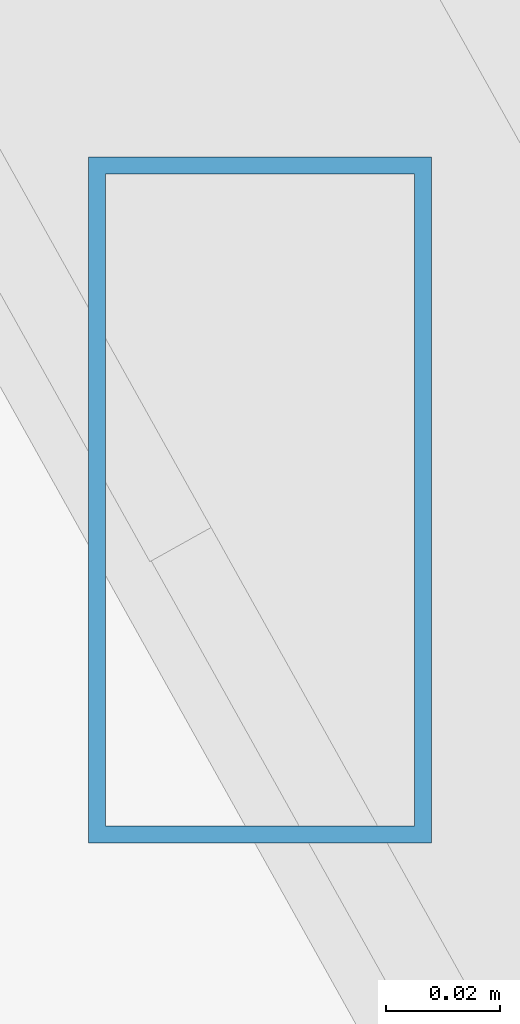
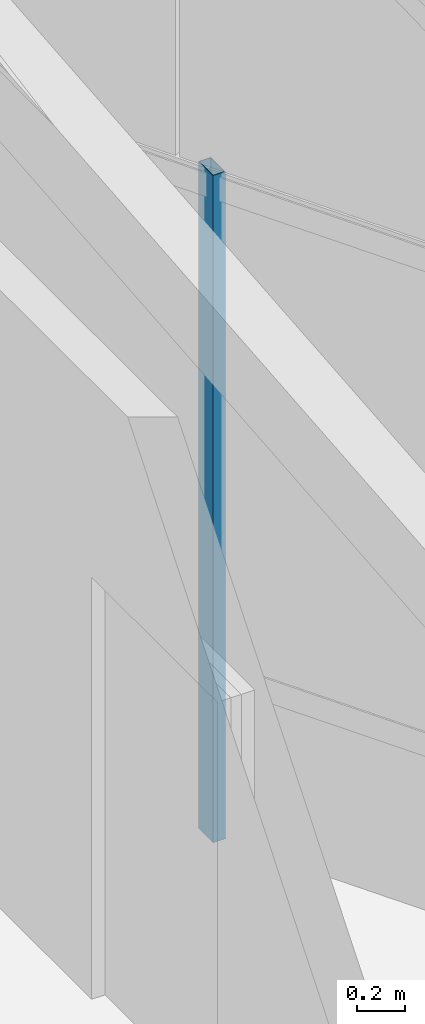
# One storey, part 30 of 50: 1 member, 1 element without a shape of its own.
"""IFC4 building model written with IfcOpenShell, lengths in metres."""

from ifc_helpers import new_model, si_unit, direction, frame, origin, origin_2d, place, context, subcontext, project, spatial, hollow_rectangle, extrude, source, transform, mapped, material, material_profile, profile_set, type_object, type_shapes, element, aggregate, save


model = new_model("IFC4")

# Units and contexts
model_context = context("Model", 3, precision=1e-05, world=origin(), true_north=direction((0.0, 1.0)))
body_context = subcontext(model_context, "Body", "Model", "MODEL_VIEW")
ifc_project = project(units=[si_unit("LENGTHUNIT", "METRE"), si_unit("AREAUNIT", "SQUARE_METRE"), si_unit("VOLUMEUNIT", "CUBIC_METRE"), si_unit("PLANEANGLEUNIT", "RADIAN"), si_unit("MASSUNIT", "GRAM", prefix="KILO")], contexts=[model_context])

# Site, building, storey
site_placement = place(None, origin())
site = spatial("IfcSite", under=ifc_project, at=site_placement, CompositionType="ELEMENT")
building_placement = place(site_placement, origin())
building = spatial("IfcBuilding", under=site, at=building_placement, Name="Caelisora Broadcast Tower", CompositionType="ELEMENT")
storey_placement = place(building_placement, frame((0.0, 0.0, 303.39990234375)))
storey = spatial("IfcBuildingStorey", under=building, at=storey_placement, Name="L80", CompositionType="ELEMENT", Elevation=303.39990234375)

# Curtain wall, member
ifc_material_1 = material(Name="Unitised Aluminium Insulated Shadow-Box Spandrel Curtain Wall", Category="aluminium")
curtain_wall_type = type_object("IfcCurtainWallType", Name="CW-SP3", PredefinedType="NOTDEFINED", material=ifc_material_1)
curtain_wall_placement = place(storey_placement, origin())
curtain_wall = element("IfcCurtainWall", 1, at=curtain_wall_placement, inside=storey, type_object=curtain_wall_type, Name="L80 curtain wall CW-SP3", PredefinedType="NOTDEFINED")
ifc_material_2 = material(Name="Aluminium 6063-T6 Anodised Terracotta Bronze", Category="aluminium")
ifc_material_profile = material_profile(ifc_material_2, hollow_rectangle(XDim=0.06005859375, YDim=0.1201171875, WallThickness=0.0029296875, at=origin_2d()), Name="Aluminium 6063-T6 Anodised Terracotta Bronze")
ifc_profile_set = profile_set([ifc_material_profile], Name="Aluminium 6063-T6 Anodised Terracotta Bronze")
member_type = type_object("IfcMemberType", Name="CWM-04", PredefinedType="MULLION", material=ifc_profile_set)
shared_shape = source(origin(), body_context, "Body", "SweptSolid", [
    extrude(hollow_rectangle(XDim=0.06005859375, YDim=0.1201171875, WallThickness=0.0029296875, at=origin_2d()), origin(), (0.0, 0.0, 1.0), 3.400146484375),
])
type_shapes(member_type, [shared_shape])
member_placement = place(storey_placement, frame((51.548095703125, 29.727294921875, 0.0), z_axis=(0.0, 0.0, 1.0), x_axis=(1.0, 0.0, 0.0)))
member = element("IfcMember", 2, at=member_placement, type_object=member_type, Name="L80-CW-B02 mullion #2", PredefinedType="MULLION", context=body_context, shape_type="MappedRepresentation", body=[
    mapped(shared_shape, transform((0.0, 0.0, 0.0), scale=1.0)),
])
aggregate(curtain_wall, [member])

save(model, "model.ifc")
